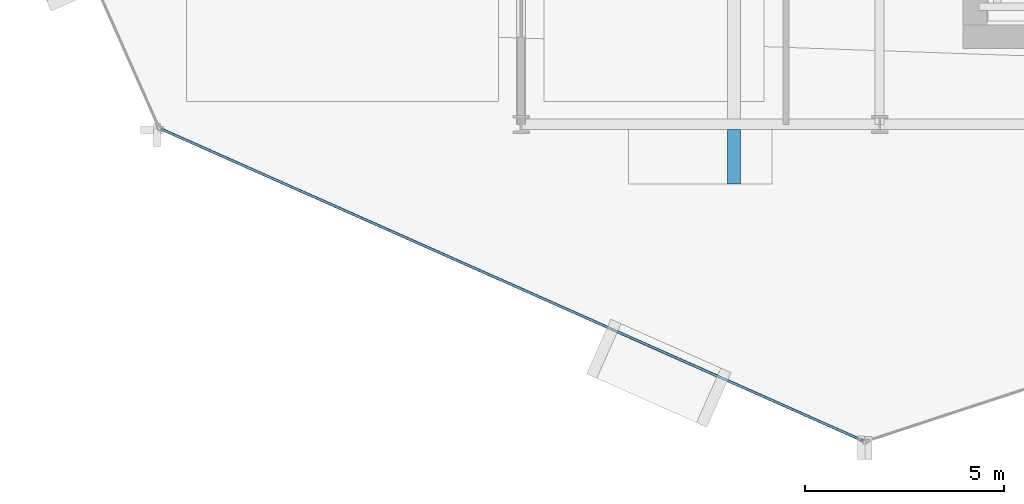
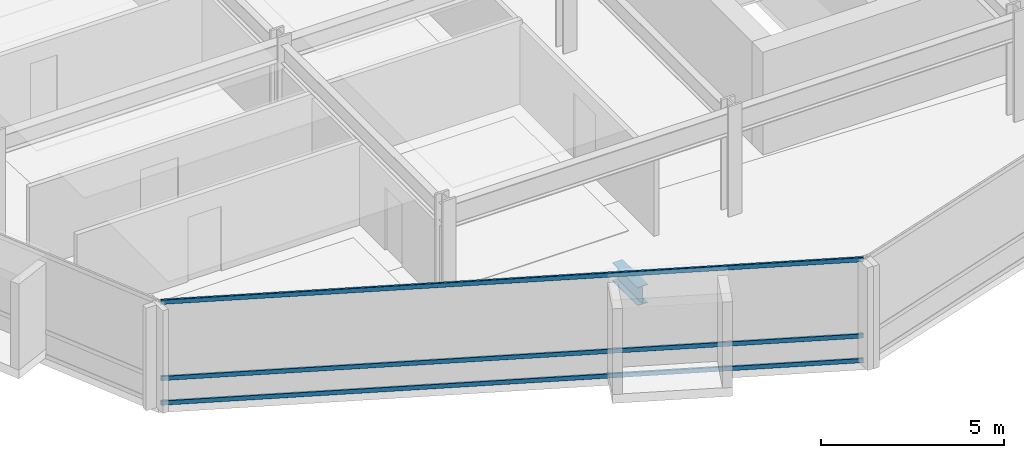
# One storey, part 3 of 29: 3 members, 1 beam, 1 element without a shape of its own.
"""IFC4 building model written with IfcOpenShell, lengths in metres."""

import ifcopenshell
import ifcopenshell.guid

model = None  # the IFC model being written
_history = None  # IfcOwnerHistory: only IFC2X3 demands one
_inside = {}  # id of a spatial element -> (the spatial element, [elements in it])
_under = {}  # id of a project, library or spatial element -> (it, [spatial elements below it])
_declared = {}  # id of a project -> (the project, [libraries it declares])
_typed = {}  # id of a type object -> (the type object, [elements of that type])
_made_of = {}  # id of a material, layer set ... -> (it, [elements and type objects made of it])


def new_model(schema):
    """Start an empty IFC model of exactly this schema.

    Asked for "IFC4X3", IfcOpenShell would pick the latest addendum, in which some entities
    have other attributes; the version numbers below select the first issue.
    IFC2X3 requires an IfcOwnerHistory on every rooted entity: one is made here for all.
    """
    global model, _history
    if schema == "IFC4X3":
        model = ifcopenshell.file(schema_version=(4, 3, 0, 0))
    else:
        model = ifcopenshell.file(schema=schema)
    _inside.clear()
    _under.clear()
    _declared.clear()
    _typed.clear()
    _made_of.clear()
    _history = None
    if model.schema == "IFC2X3":
        org = make("IfcOrganization", Name="unknown")
        user = make(
            "IfcPersonAndOrganization",
            ThePerson=make("IfcPerson", FamilyName="unknown"),
            TheOrganization=org,
        )
        app = make(
            "IfcApplication",
            ApplicationDeveloper=org,
            Version="unknown",
            ApplicationFullName="unknown",
            ApplicationIdentifier="unknown",
        )
        _history = make(
            "IfcOwnerHistory",
            OwningUser=user,
            OwningApplication=app,
            ChangeAction="ADDED",
            CreationDate=0,
        )
    return model


def make(cls, **values):
    """One entity of the class cls with the attributes given. An attribute that is None is left unset."""
    return model.create_entity(
        cls, **{name: value for name, value in values.items() if value is not None}
    )


def rooted(cls, **values):
    """An entity with a GlobalId (a new one), such as an element, a storey or a relation."""
    return make(cls, GlobalId=ifcopenshell.guid.new(), OwnerHistory=_history, **values)


def si_unit(unit_type, name, prefix=None):
    """IfcSIUnit, for example si_unit("LENGTHUNIT", "METRE", prefix="MILLI")."""
    return make("IfcSIUnit", UnitType=unit_type, Prefix=prefix, Name=name)


def assignment(units):
    """IfcUnitAssignment: the units of a project."""
    return None if units is None else make("IfcUnitAssignment", Units=units)


def point(xyz):
    """IfcCartesianPoint."""
    return None if xyz is None else make("IfcCartesianPoint", Coordinates=xyz)


def direction(xyz):
    """IfcDirection."""
    return None if xyz is None else make("IfcDirection", DirectionRatios=xyz)


def frame(location, z_axis=None, x_axis=None):
    """IfcAxis2Placement3D, a coordinate frame: its origin and axes. An axis left out is left unset."""
    return make(
        "IfcAxis2Placement3D",
        Location=point(location),
        Axis=direction(z_axis),
        RefDirection=direction(x_axis),
    )


def frame_2d(location, x_axis=None):
    """IfcAxis2Placement2D, a coordinate frame in the plane: its origin and x axis."""
    return make(
        "IfcAxis2Placement2D", Location=point(location), RefDirection=direction(x_axis)
    )


def origin():
    """The frame at (0, 0, 0) with its axes left unset."""
    return frame((0.0, 0.0, 0.0))


def origin_2d():
    """The frame at (0, 0) in the plane with its x axis left unset."""
    return frame_2d((0.0, 0.0))


def place(relative_to, where):
    """IfcLocalPlacement: puts the frame where relative to a parent placement (None: the world)."""
    return make(
        "IfcLocalPlacement", PlacementRelTo=relative_to, RelativePlacement=where
    )


def context(
    kind, dimensions, precision=None, world=None, true_north=None, identifier=None
):
    """IfcGeometricRepresentationContext, for example the 3D "Model" context."""
    return make(
        "IfcGeometricRepresentationContext",
        ContextIdentifier=identifier,
        ContextType=kind,
        CoordinateSpaceDimension=dimensions,
        Precision=precision,
        WorldCoordinateSystem=world,
        TrueNorth=true_north,
    )


def subcontext(parent, identifier, kind, view, scale=None):
    """IfcGeometricRepresentationSubContext, for example "Body" below "Model"."""
    return make(
        "IfcGeometricRepresentationSubContext",
        ContextIdentifier=identifier,
        ContextType=kind,
        ParentContext=parent,
        TargetScale=scale,
        TargetView=view,
    )


def project(units=None, contexts=None):
    """IfcProject with its units and contexts."""
    return rooted(
        "IfcProject",
        Name="project",
        RepresentationContexts=contexts,
        UnitsInContext=assignment(units),
    )


def spatial(cls, under=None, at=None, **own):
    """A site, building, storey or space (cls), placed at a placement, below another one or the project."""
    s = rooted(cls, ObjectPlacement=at, **own)
    if under is not None:
        _under.setdefault(under.id(), (under, []))[1].append(s)
    return s


def profile(cls, at=None, kind="AREA", **sizes):
    """A parametric profile (cls). Its sizes go by their IFC names, for example OverallWidth=200.0."""
    return make(cls, ProfileType=kind, Position=at, **sizes)


def hollow_rectangle(**sizes):
    """IfcRectangleHollowProfileDef."""
    return profile("IfcRectangleHollowProfileDef", **sizes)


def i_section(**sizes):
    """IfcIShapeProfileDef."""
    return profile("IfcIShapeProfileDef", **sizes)


def extrude(swept, where, along, depth):
    """IfcExtrudedAreaSolid: the profile swept, set in the frame where, extruded along a direction by depth."""
    return make(
        "IfcExtrudedAreaSolid",
        SweptArea=swept,
        Position=where,
        ExtrudedDirection=direction(along),
        Depth=depth,
    )


def shape(context_of_items, identifier, shape_type, items):
    """IfcShapeRepresentation: the items that make up one representation, for example the "Body"."""
    return make(
        "IfcShapeRepresentation",
        ContextOfItems=context_of_items,
        RepresentationIdentifier=identifier,
        RepresentationType=shape_type,
        Items=items,
    )


def material(Name=None, Category=None):
    """IfcMaterial."""
    return make("IfcMaterial", Name=Name, Category=Category)


def layer(
    of_material, thickness, ventilated=None, Name=None, Category=None, Priority=None
):
    """IfcMaterialLayer: one layer of a wall or slab, of a material (None: an air gap)."""
    return make(
        "IfcMaterialLayer",
        Material=of_material,
        LayerThickness=thickness,
        IsVentilated=ventilated,
        Name=Name,
        Category=Category,
        Priority=Priority,
    )


def layer_set(layers, Name=None):
    """IfcMaterialLayerSet."""
    return make("IfcMaterialLayerSet", MaterialLayers=layers, LayerSetName=Name)


def material_profile(
    of_material, cross_section, Name=None, Category=None, Priority=None
):
    """IfcMaterialProfile: a cross section and its material."""
    return make(
        "IfcMaterialProfile",
        Name=Name,
        Material=of_material,
        Profile=cross_section,
        Priority=Priority,
        Category=Category,
    )


def profile_set(profiles, Name=None, composite=None):
    """IfcMaterialProfileSet."""
    return make(
        "IfcMaterialProfileSet",
        Name=Name,
        MaterialProfiles=profiles,
        CompositeProfile=composite,
    )


def made_of(thing, what):
    """Note that an element or type object is made of a material, layer set ...; save() writes the relation."""
    if what is not None:
        _made_of.setdefault(what.id(), (what, []))[1].append(thing)
    return thing


def type_object(cls, material=None, **own):
    """A type object (cls), such as IfcWallType, which elements share."""
    return made_of(rooted(cls, **own), material)


def element(
    cls,
    number,
    at=None,
    inside=None,
    cuts=None,
    type_object=None,
    material=None,
    context=None,
    identifier="Body",
    shape_type=None,
    held_by="IfcProductDefinitionShape",
    body=None,
    shapes=None,
    **own,
):
    """One element of the class cls, such as IfcWall. Its Tag is "e" and its number.

    at: its placement. inside: the storey or other place that contains it. cuts: it is an
    opening in that element (IfcRelVoidsElement). A single representation is given by context,
    identifier, shape_type and body (its items); several are given by shapes. held_by: the class
    of the entity that holds the representations. save() writes the other relations.
    """
    e = rooted(cls, Tag="e%d" % number, ObjectPlacement=at, **own)
    if body is not None:
        shapes = [shape(context, identifier, shape_type, body)]
    if shapes is not None:
        e.Representation = make(held_by, Representations=shapes)
    if inside is not None:
        _inside.setdefault(inside.id(), (inside, []))[1].append(e)
    if cuts is not None:
        rooted(
            "IfcRelVoidsElement", RelatingBuildingElement=cuts, RelatedOpeningElement=e
        )
    if type_object is not None:
        _typed.setdefault(type_object.id(), (type_object, []))[1].append(e)
    return made_of(e, material)


def aggregate(whole, parts):
    """IfcRelAggregates: a whole, such as a stair, and the parts it consists of."""
    return rooted("IfcRelAggregates", RelatingObject=whole, RelatedObjects=parts)


def save(model, path):
    """Write the relations noted so far, then the file.

    IfcRelAggregates (storeys below a building ...), IfcRelContainedInSpatialStructure (elements
    in a storey), IfcRelDefinesByType, IfcRelAssociatesMaterial and IfcRelDeclares: one each for
    every whole, place, type object, material and project.
    """
    for whole, parts in _under.values():
        aggregate(whole, parts)
    for where, things in _inside.values():
        rooted(
            "IfcRelContainedInSpatialStructure",
            RelatedElements=things,
            RelatingStructure=where,
        )
    for kind, things in _typed.values():
        rooted("IfcRelDefinesByType", RelatedObjects=things, RelatingType=kind)
    for what, things in _made_of.values():
        rooted("IfcRelAssociatesMaterial", RelatedObjects=things, RelatingMaterial=what)
    for by, libraries in _declared.values():
        rooted("IfcRelDeclares", RelatingContext=by, RelatedDefinitions=libraries)
    model.write(path)


model = new_model("IFC4")

# Units and contexts
model_context = context("Model", 3, precision=1e-05, world=origin(), true_north=direction((0.0, 1.0)))
body_context = subcontext(model_context, "Body", "Model", "MODEL_VIEW")
ifc_project = project(units=[si_unit("LENGTHUNIT", "METRE"), si_unit("AREAUNIT", "SQUARE_METRE"), si_unit("VOLUMEUNIT", "CUBIC_METRE"), si_unit("PLANEANGLEUNIT", "RADIAN"), si_unit("MASSUNIT", "GRAM", prefix="KILO")], contexts=[model_context])

# Site, building, storey
site_placement = place(None, origin())
site = spatial("IfcSite", under=ifc_project, at=site_placement, CompositionType="ELEMENT")
building_placement = place(site_placement, origin())
building = spatial("IfcBuilding", under=site, at=building_placement, Name="Solvaryn Broadcast Tower", CompositionType="ELEMENT")
storey_placement = place(building_placement, frame((0.0, 0.0, 113.699951171875)))
storey = spatial("IfcBuildingStorey", under=building, at=storey_placement, Name="L27", CompositionType="ELEMENT", Elevation=113.699951171875)

# Beam
ifc_material_1 = material(Name="Steel ASTM A992 Grade 50", Category="steel")
ifc_material_profile_1 = material_profile(ifc_material_1, i_section(OverallWidth=0.323974609375, OverallDepth=0.611083984375, WebThickness=0.0126953125, FlangeThickness=0.01904296875, FilletRadius=0.014892578125, at=origin_2d()))
ifc_profile_set_1 = profile_set([ifc_material_profile_1], Name="Steel ASTM A992 Grade 50")
beam_type = type_object("IfcBeamType", Name="BM-CANT-TER", PredefinedType="BEAM", material=ifc_profile_set_1)
beam_placement = place(storey_placement, frame((23.35009765625, 8.875, -0.58544921875), z_axis=(0.0, -1.0, 0.0), x_axis=(1.0, 0.0, 0.0)))
element("IfcBeam", 1, at=beam_placement, inside=storey, type_object=beam_type, Name="L27 Bay-Box Cantilever Bracket 1", PredefinedType="BEAM", context=body_context, shape_type="SweptSolid", body=[
    extrude(i_section(OverallWidth=0.323974609375, OverallDepth=0.611083984375, WebThickness=0.0126953125, FlangeThickness=0.01904296875, FilletRadius=0.014892578125, at=origin_2d()), origin(), (0.0, 0.0, 1.0), 1.375),
])

# Curtain wall, members
ifc_material_2 = material(Name="Aluminium and Terracotta Unitised Curtain Wall", Category="masonry")
ifc_layer = layer(ifc_material_2, 0.199951171875)
ifc_layer_set = layer_set([ifc_layer], Name="CW-SYS2-LOWMID")
curtain_wall_type = type_object("IfcCurtainWallType", Name="CW-SYS2-LOWMID", PredefinedType="NOTDEFINED", material=ifc_layer_set)
curtain_wall_placement = place(storey_placement, origin())
curtain_wall = element("IfcCurtainWall", 2, at=curtain_wall_placement, inside=storey, type_object=curtain_wall_type, Name="L27 Curtain Wall DR3", PredefinedType="NOTDEFINED")
ifc_material_3 = material(Name="Anodised Aluminium 6063-T6", Category="aluminium")
ifc_material_profile_2 = material_profile(ifc_material_3, hollow_rectangle(XDim=0.06494140625, YDim=0.14990234375, WallThickness=0.00390625, InnerFilletRadius=0.00390625, OuterFilletRadius=0.008056640625, at=origin_2d()))
ifc_profile_set_2 = profile_set([ifc_material_profile_2], Name="Anodised Aluminium 6063-T6")
member_type = type_object("IfcMemberType", Name="CW-TRN-150", PredefinedType="USERDEFINED", material=ifc_profile_set_2)
member_1_placement = place(storey_placement, frame((8.962890625, 8.883544921875, 0.030029296875), z_axis=(0.913909703223, -0.405917546252, 0.0), x_axis=(0.405917546252, 0.913909703223, 0.0)))
member_1 = element("IfcMember", 3, at=member_1_placement, type_object=member_type, Name="CWS2 transom 1.1", ObjectType="TRANSOM", PredefinedType="USERDEFINED", context=body_context, shape_type="SweptSolid", body=[
    extrude(hollow_rectangle(XDim=0.06494140625, YDim=0.14990234375, WallThickness=0.00390625, InnerFilletRadius=0.00390625, OuterFilletRadius=0.008056640625, at=origin_2d()), origin(), (0.0, 0.0, 1.0), 19.27783203125),
])
member_2_placement = place(storey_placement, frame((8.962890625, 8.883544921875, 0.85009765625), z_axis=(0.913909703223, -0.405917546252, 0.0), x_axis=(0.405917546252, 0.913909703223, 0.0)))
member_2 = element("IfcMember", 4, at=member_2_placement, type_object=member_type, Name="CWS2 transom 1.2", ObjectType="TRANSOM", PredefinedType="USERDEFINED", context=body_context, shape_type="SweptSolid", body=[
    extrude(hollow_rectangle(XDim=0.06494140625, YDim=0.14990234375, WallThickness=0.00390625, InnerFilletRadius=0.00390625, OuterFilletRadius=0.008056640625, at=origin_2d()), origin(), (0.0, 0.0, 1.0), 19.27783203125),
])
member_3_placement = place(storey_placement, frame((8.962890625, 8.883544921875, 3.39013671875), z_axis=(0.913909703223, -0.405917546252, 0.0), x_axis=(0.405917546252, 0.913909703223, 0.0)))
member_3 = element("IfcMember", 5, at=member_3_placement, type_object=member_type, Name="CWS2 transom 1.3", ObjectType="TRANSOM", PredefinedType="USERDEFINED", context=body_context, shape_type="SweptSolid", body=[
    extrude(hollow_rectangle(XDim=0.06494140625, YDim=0.14990234375, WallThickness=0.00390625, InnerFilletRadius=0.00390625, OuterFilletRadius=0.008056640625, at=origin_2d()), origin(), (0.0, 0.0, 1.0), 19.27783203125),
])
aggregate(curtain_wall, [member_1, member_2, member_3])

save(model, "model.ifc")
